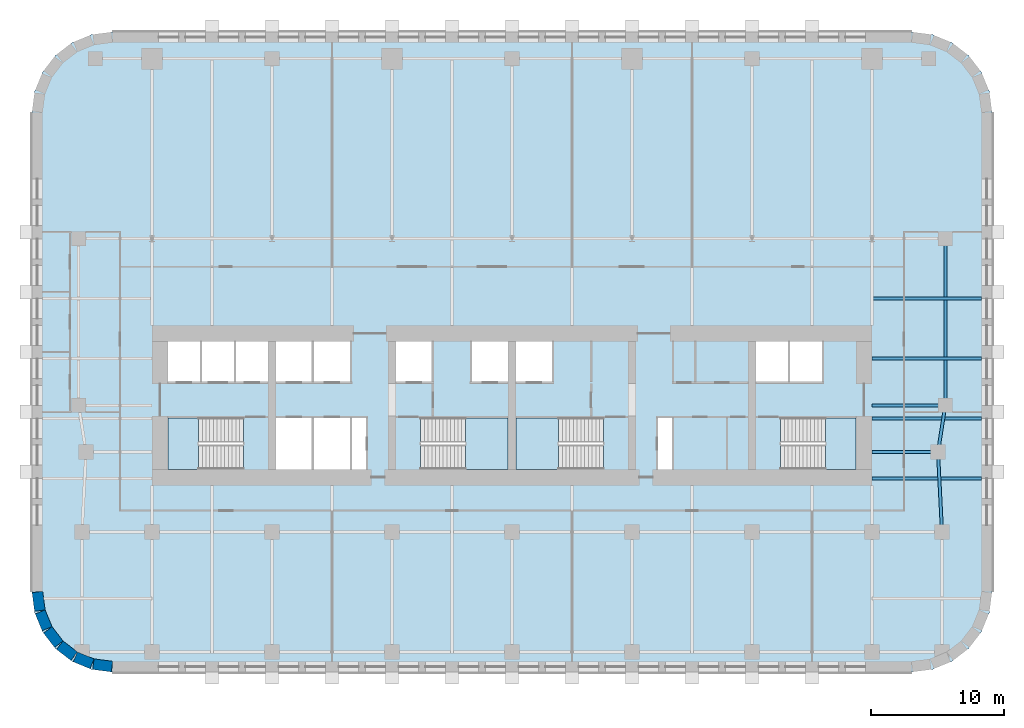
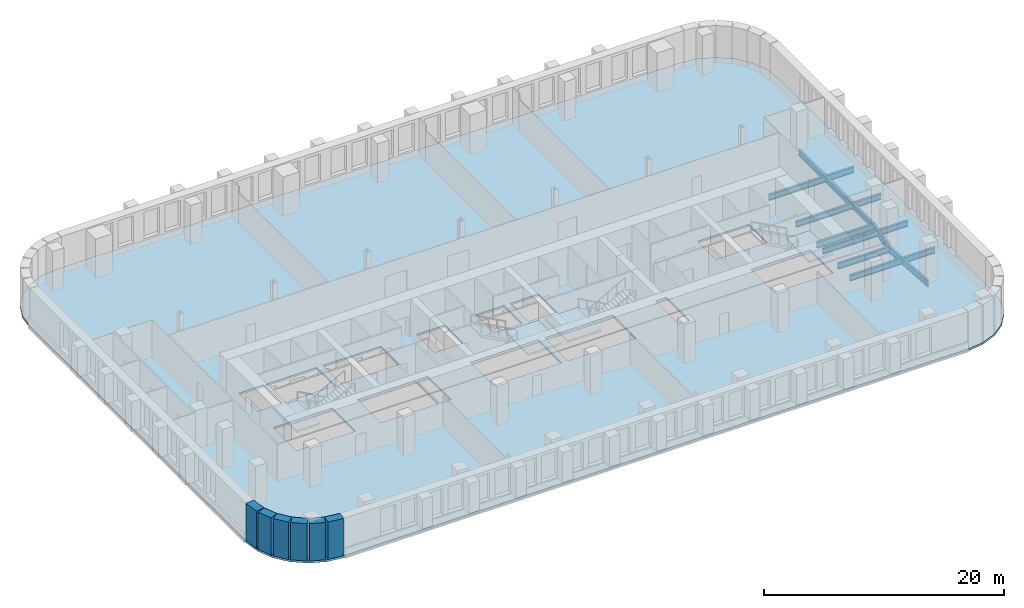
# One storey, part 2 of 11: 9 beams, 6 walls, 5 slabs, 4 elements without a shape of their own.
"""IFC4 building model written with IfcOpenShell, lengths in metres."""

from ifc_helpers import new_model, si_unit, direction, frame, frame_2d, origin, origin_2d, place, context, subcontext, project, spatial, polyline, rectangle, i_section, outline, extrude, material, layer, layer_set, material_profile, profile_set, type_object, element, aggregate, save


model = new_model("IFC4")

# Units and contexts
model_context = context("Model", 3, precision=1e-05, world=origin(), true_north=direction((0.0, 1.0)))
body_context = subcontext(model_context, "Body", "Model", "MODEL_VIEW")
ifc_project = project(units=[si_unit("LENGTHUNIT", "METRE"), si_unit("AREAUNIT", "SQUARE_METRE"), si_unit("VOLUMEUNIT", "CUBIC_METRE"), si_unit("PLANEANGLEUNIT", "RADIAN"), si_unit("MASSUNIT", "GRAM", prefix="KILO")], contexts=[model_context])

# Site, building, storey
site_placement = place(None, origin())
site = spatial("IfcSite", under=ifc_project, at=site_placement, CompositionType="ELEMENT")
building_placement = place(site_placement, origin())
building = spatial("IfcBuilding", under=site, at=building_placement, Name="Zellij Exchange Tower", CompositionType="ELEMENT")
storey_placement = place(building_placement, frame((0.0, 0.0, 72.5)))
storey = spatial("IfcBuildingStorey", under=building, at=storey_placement, Name="L14", CompositionType="ELEMENT", Elevation=72.5)

# Beams
ifc_material_1 = material(Name="Structural steel ASTM A992 Gr 50", Category="steel")
ifc_material_profile_1 = material_profile(ifc_material_1, i_section(OverallWidth=0.227783203125, OverallDepth=0.60205078125, WebThickness=0.010498046875, FlangeThickness=0.014892578125, at=origin_2d()), Name="W24x68")
ifc_profile_set_1 = profile_set([ifc_material_profile_1], Name="Structural steel ASTM A992 Gr 50")
beam_type_1 = type_object("IfcBeamType", Name="STR-BEAM W24x68", PredefinedType="BEAM", material=ifc_profile_set_1)
for number, where, z_axis, x_axis, name in (
    (1, (27.0, -13.5, -0.5009765625), (1.0, 0.0, 0.0), (0.0, 1.0, 0.0), "B5"),
    (2, (27.0, -9.0, -0.5009765625), (1.0, 0.0, 0.0), (0.0, 1.0, 0.0), "B5"),
    (3, (27.0, -4.5, -0.5009765625), (1.0, 0.0, 0.0), (0.0, 1.0, 0.0), "B5"),
    (4, (27.0, 0.0, -0.5009765625), (1.0, 0.0, 0.0), (0.0, 1.0, 0.0), "B5"),
):
    element("IfcBeam", number, at=place(storey_placement, frame(where, z_axis=z_axis, x_axis=x_axis)), inside=storey, type_object=beam_type_1, Name=name, PredefinedType="BEAM", context=body_context, shape_type="SweptSolid", body=[
        extrude(i_section(OverallWidth=0.227783203125, OverallDepth=0.60205078125, WebThickness=0.010498046875, FlangeThickness=0.014892578125, at=origin_2d()), origin(), (0.0, 0.0, 1.0), 8.199951171875),
    ])
ifc_material_profile_2 = material_profile(ifc_material_1, i_section(OverallWidth=0.22900390625, OverallDepth=0.612060546875, WebThickness=0.011962890625, FlangeThickness=0.01953125, at=origin_2d()), Name="W24x84")
ifc_profile_set_2 = profile_set([ifc_material_profile_2], Name="Structural steel ASTM A992 Gr 50")
beam_type_2 = type_object("IfcBeamType", Name="STR-EDGE GIRDER W24x84", PredefinedType="BEAM", material=ifc_profile_set_2)
beam_1_placement = place(storey_placement, frame((32.25, -17.5, -0.506103515625), z_axis=(-0.049945724537, 0.998751933465, 0.0), x_axis=(-0.998751933465, -0.049945724537, 0.0)))
element("IfcBeam", 5, at=beam_1_placement, inside=storey, type_object=beam_type_2, Name="EB6", PredefinedType="BEAM", context=body_context, shape_type="SweptSolid", body=[
    extrude(i_section(OverallWidth=0.22900390625, OverallDepth=0.612060546875, WebThickness=0.011962890625, FlangeThickness=0.01953125, at=origin_2d()), origin(), (0.0, 0.0, 1.0), 6.007568359375),
])
beam_2_placement = place(storey_placement, frame((31.949951171875, -11.5, -0.506103515625), z_axis=(0.155251283593, 0.987875011802, 0.0), x_axis=(-0.987875011802, 0.155251283593, 0.0)))
element("IfcBeam", 6, at=beam_2_placement, inside=storey, type_object=beam_type_2, Name="EB6", PredefinedType="BEAM", context=body_context, shape_type="SweptSolid", body=[
    extrude(i_section(OverallWidth=0.22900390625, OverallDepth=0.612060546875, WebThickness=0.011962890625, FlangeThickness=0.01953125, at=origin_2d()), origin(), (0.0, 0.0, 1.0), 3.54296875),
])
beam_3_placement = place(storey_placement, frame((32.5, -8.0, -0.506103515625), z_axis=(0.0, 1.0, 0.0), x_axis=(-1.0, 0.0, 0.0)))
element("IfcBeam", 7, at=beam_3_placement, inside=storey, type_object=beam_type_2, Name="EB6", PredefinedType="BEAM", context=body_context, shape_type="SweptSolid", body=[
    extrude(i_section(OverallWidth=0.22900390625, OverallDepth=0.612060546875, WebThickness=0.011962890625, FlangeThickness=0.01953125, at=origin_2d()), origin(), (0.0, 0.0, 1.0), 12.5),
])
ifc_material_profile_3 = material_profile(ifc_material_1, i_section(OverallWidth=0.22900390625, OverallDepth=0.612060546875, WebThickness=0.011962890625, FlangeThickness=0.01953125, at=origin_2d()), Name="W24x84")
ifc_profile_set_3 = profile_set([ifc_material_profile_3], Name="Structural steel ASTM A992 Gr 50")
beam_type_3 = type_object("IfcBeamType", Name="STR-GIRDER W24x84", PredefinedType="BEAM", material=ifc_profile_set_3)
beam_4_placement = place(storey_placement, frame((27.0, -11.5, -0.506103515625), z_axis=(1.0, 0.0, 0.0), x_axis=(0.0, 1.0, 0.0)))
element("IfcBeam", 8, at=beam_4_placement, inside=storey, type_object=beam_type_3, Name="G4", PredefinedType="BEAM", context=body_context, shape_type="SweptSolid", body=[
    extrude(i_section(OverallWidth=0.22900390625, OverallDepth=0.612060546875, WebThickness=0.011962890625, FlangeThickness=0.01953125, at=origin_2d()), origin(), (0.0, 0.0, 1.0), 4.949951171875),
])
beam_5_placement = place(storey_placement, frame((27.0, -8.0, -0.506103515625), z_axis=(1.0, 0.0, 0.0), x_axis=(0.0, 1.0, 0.0)))
element("IfcBeam", 9, at=beam_5_placement, inside=storey, type_object=beam_type_3, Name="G4", PredefinedType="BEAM", context=body_context, shape_type="SweptSolid", body=[
    extrude(i_section(OverallWidth=0.22900390625, OverallDepth=0.612060546875, WebThickness=0.011962890625, FlangeThickness=0.01953125, at=origin_2d()), origin(), (0.0, 0.0, 1.0), 5.5),
])

# Stair, slab
ifc_material_2 = material(Name="Concrete C40/50", Category="concrete")
stair_type = type_object("IfcStairType", Name="CORE-ST exit stair 1850 wide", PredefinedType="HALF_TURN_STAIR", material=ifc_material_2)
stair_1_placement = place(storey_placement, origin())
stair_1 = element("IfcStair", 10, at=stair_1_placement, inside=storey, type_object=stair_type, Name="L14 exit stair ST1", PredefinedType="HALF_TURN_STAIR")
ifc_layer_1 = layer(ifc_material_2, 0.199951171875)
ifc_layer_set_1 = layer_set([ifc_layer_1], Name="Concrete C40/50")
slab_type_1 = type_object("IfcSlabType", Name="CORE-SL stair landing 200", PredefinedType="LANDING", material=ifc_layer_set_1)
slab_1_placement = place(storey_placement, frame((0.0, 0.0, 1.800048828125)))
slab_1 = element("IfcSlab", 11, at=slab_1_placement, type_object=slab_type_1, Name="ST1 landing 1", PredefinedType="LANDING", context=body_context, shape_type="SweptSolid", body=[
    extrude(outline(polyline([(-23.510009765625, -8.949951171875), (-25.800048828125, -8.949951171875), (-25.800048828125, -12.800048828125), (-23.510009765625, -12.800048828125), (-23.510009765625, -8.949951171875)])), origin(), (0.0, 0.0, 1.0), 0.199951171875),
])
aggregate(stair_1, [slab_1])

stair_2_placement = place(storey_placement, origin())
stair_2 = element("IfcStair", 12, at=stair_2_placement, inside=storey, type_object=stair_type, Name="L14 exit stair ST2", PredefinedType="HALF_TURN_STAIR")
slab_2_placement = place(storey_placement, frame((0.0, 0.0, 1.800048828125)))
slab_2 = element("IfcSlab", 13, at=slab_2_placement, type_object=slab_type_1, Name="ST2 landing 1", PredefinedType="LANDING", context=body_context, shape_type="SweptSolid", body=[
    extrude(outline(polyline([(-3.489990234375, -12.800048828125), (-0.300048828125, -12.800048828125), (-0.300048828125, -8.949951171875), (-3.489990234375, -8.949951171875), (-3.489990234375, -12.800048828125)])), origin(), (0.0, 0.0, 1.0), 0.199951171875),
])
aggregate(stair_2, [slab_2])

stair_3_placement = place(storey_placement, origin())
stair_3 = element("IfcStair", 14, at=stair_3_placement, inside=storey, type_object=stair_type, Name="L14 exit stair ST3", PredefinedType="HALF_TURN_STAIR")
slab_3_placement = place(storey_placement, frame((0.0, 0.0, 1.800048828125)))
slab_3 = element("IfcSlab", 15, at=slab_3_placement, type_object=slab_type_1, Name="ST3 landing 1", PredefinedType="LANDING", context=body_context, shape_type="SweptSolid", body=[
    extrude(outline(polyline([(3.489990234375, -8.949951171875), (0.300048828125, -8.949951171875), (0.300048828125, -12.800048828125), (3.489990234375, -12.800048828125), (3.489990234375, -8.949951171875)])), origin(), (0.0, 0.0, 1.0), 0.199951171875),
])
aggregate(stair_3, [slab_3])

stair_4_placement = place(storey_placement, origin())
stair_4 = element("IfcStair", 16, at=stair_4_placement, inside=storey, type_object=stair_type, Name="L14 exit stair ST4", PredefinedType="HALF_TURN_STAIR")
slab_4_placement = place(storey_placement, frame((0.0, 0.0, 1.800048828125)))
slab_4 = element("IfcSlab", 17, at=slab_4_placement, type_object=slab_type_1, Name="ST4 landing 1", PredefinedType="LANDING", context=body_context, shape_type="SweptSolid", body=[
    extrude(outline(polyline([(23.510009765625, -12.800048828125), (25.800048828125, -12.800048828125), (25.800048828125, -8.949951171875), (23.510009765625, -8.949951171875), (23.510009765625, -12.800048828125)])), origin(), (0.0, 0.0, 1.0), 0.199951171875),
])
aggregate(stair_4, [slab_4])

# Slab
ifc_layer_2 = layer(ifc_material_2, 0.199951171875)
ifc_layer_set_2 = layer_set([ifc_layer_2], Name="Concrete C40/50")
slab_type_2 = type_object("IfcSlabType", Name="STR-FLOOR SLAB 200 C40/50", PredefinedType="FLOOR", material=ifc_layer_set_2)
slab_5_placement = place(storey_placement, frame((0.0, 0.0, -0.2001953125)))
element("IfcSlab", 18, at=slab_5_placement, inside=storey, type_object=slab_type_2, Name="Floor L14", PredefinedType="FLOOR", context=body_context, shape_type="SweptSolid", body=[
    extrude(outline(polyline([(-30.0, -28.0), (-31.552978515625, -27.795654296875), (-33.0, -27.1962890625), (-34.24267578125, -26.24267578125), (-35.1962890625, -25.0), (-35.795654296875, -23.552978515625), (-36.0, -22.0), (-36.0, 14.0), (-35.795654296875, 15.552978515625), (-35.1962890625, 17.0), (-34.24267578125, 18.24267578125), (-33.0, 19.1962890625), (-31.552978515625, 19.795654296875), (-30.0, 20.0), (30.0, 20.0), (31.552978515625, 19.795654296875), (33.0, 19.1962890625), (34.24267578125, 18.24267578125), (35.1962890625, 17.0), (35.795654296875, 15.552978515625), (36.0, 14.0), (36.0, -22.0), (35.795654296875, -23.552978515625), (35.1962890625, -25.0), (34.24267578125, -26.24267578125), (33.0, -27.1962890625), (31.552978515625, -27.795654296875), (30.0, -28.0), (-30.0, -28.0)]), holes=[polyline([(-25.800048828125, -8.949951171875), (-25.800048828125, -12.800048828125), (-20.153076171875, -12.800048828125), (-20.153076171875, -8.949951171875), (-25.800048828125, -8.949951171875)]), polyline([(-12.14990234375, -8.949951171875), (-17.699951171875, -8.949951171875), (-17.699951171875, -12.800048828125), (-12.14990234375, -12.800048828125), (-12.14990234375, -8.949951171875)]), polyline([(-10.949951171875, -8.949951171875), (-12.0, -8.949951171875), (-12.0, -12.800048828125), (-10.949951171875, -12.800048828125), (-10.949951171875, -8.949951171875)]), polyline([(-23.39990234375, -3.199951171875), (-25.800048828125, -3.199951171875), (-25.800048828125, -6.22509765625), (-23.39990234375, -6.22509765625), (-23.39990234375, -3.199951171875)]), polyline([(-18.300048828125, -3.199951171875), (-23.25, -3.199951171875), (-23.25, -6.22509765625), (-18.300048828125, -6.22509765625), (-18.300048828125, -3.199951171875)]), polyline([(-12.14990234375, -3.199951171875), (-17.699951171875, -3.199951171875), (-17.699951171875, -6.22509765625), (-12.14990234375, -6.22509765625), (-12.14990234375, -3.199951171875)]), polyline([(-6.0, -3.199951171875), (-8.699951171875, -3.199951171875), (-8.699951171875, -6.22509765625), (-6.0, -6.22509765625), (-6.0, -3.199951171875)]), polyline([(-6.846923828125, -8.949951171875), (-6.846923828125, -12.800048828125), (-0.300048828125, -12.800048828125), (-0.300048828125, -8.949951171875), (-6.846923828125, -8.949951171875)]), polyline([(6.846923828125, -8.949951171875), (0.300048828125, -8.949951171875), (0.300048828125, -12.800048828125), (6.846923828125, -12.800048828125), (6.846923828125, -8.949951171875)]), polyline([(12.0, -8.949951171875), (10.949951171875, -8.949951171875), (10.949951171875, -12.800048828125), (12.0, -12.800048828125), (12.0, -8.949951171875)]), polyline([(25.800048828125, -8.949951171875), (20.153076171875, -8.949951171875), (20.153076171875, -12.800048828125), (25.800048828125, -12.800048828125), (25.800048828125, -8.949951171875)]), polyline([(-0.300048828125, -3.199951171875), (-3.0, -3.199951171875), (-3.0, -6.22509765625), (-0.300048828125, -6.22509765625), (-0.300048828125, -3.199951171875)]), polyline([(3.0, -3.199951171875), (0.300048828125, -3.199951171875), (0.300048828125, -6.22509765625), (3.0, -6.22509765625), (3.0, -3.199951171875)]), polyline([(23.25, -3.199951171875), (18.300048828125, -3.199951171875), (18.300048828125, -6.22509765625), (23.25, -6.22509765625), (23.25, -3.199951171875)])]), origin(), (0.0, 0.0, 1.0), 0.2001953125),
])

# Walls
ifc_material_3 = material(Name="Precast concrete C40/50", Category="concrete")
ifc_layer_3 = layer(ifc_material_3, 0.800048828125)
ifc_layer_set_3 = layer_set([ifc_layer_3], Name="Precast concrete C40/50")
wall_type = type_object("IfcWallType", Name="ENV-EW1 Precast stone-piered wall 800", PredefinedType="SOLIDWALL", material=ifc_layer_set_3)
wall_1_placement = place(storey_placement, frame((-35.5966796875, -21.999755859375, 0.0), z_axis=(0.0, 0.0, 1.0), x_axis=(0.130517283865, -0.99144603414, 0.0)))
element("IfcWall", 19, at=wall_1_placement, inside=storey, type_object=wall_type, Name="fac.L14.22", PredefinedType="SOLIDWALL", context=body_context, shape_type="SweptSolid", body=[
    extrude(rectangle(XDim=1.408447265625, YDim=0.800048828125, at=frame_2d((0.7041015625, 0.0))), origin(), (0.0, 0.0, 1.0), 3.800048828125),
])
wall_2_placement = place(storey_placement, frame((-35.3857421875, -23.497314453125, 0.0), z_axis=(0.0, 0.0, 1.0), x_axis=(0.38276009378, -0.923847774587, 0.0)))
element("IfcWall", 20, at=wall_2_placement, inside=storey, type_object=wall_type, Name="fac.L14.23", PredefinedType="SOLIDWALL", context=body_context, shape_type="SweptSolid", body=[
    extrude(rectangle(XDim=1.35546875, YDim=0.800048828125, at=frame_2d((0.677734375, 0.0))), origin(), (0.0, 0.0, 1.0), 3.800048828125),
])
for number, where, z_axis, x_axis, name in (
    (21, (-34.814697265625, -24.840087890625, 0.0), (0.0, 0.0, 1.0), (0.608866226366, -0.793272915452, 0.0), "fac.L14.24"),
    (22, (-33.91552734375, -25.9892578125, 0.0), (0.0, 0.0, 1.0), (0.793272915452, -0.608866226366, 0.0), "fac.L14.25"),
):
    element("IfcWall", number, at=place(storey_placement, frame(where, z_axis=z_axis, x_axis=x_axis)), inside=storey, type_object=wall_type, Name=name, PredefinedType="SOLIDWALL", context=body_context, shape_type="SweptSolid", body=[
        extrude(rectangle(XDim=1.355712890625, YDim=0.800048828125, at=frame_2d((0.677734375, 0.0))), origin(), (0.0, 0.0, 1.0), 3.800048828125),
    ])
wall_3_placement = place(storey_placement, frame((-32.74951171875, -26.866943359375, 0.0), z_axis=(0.0, 0.0, 1.0), x_axis=(0.923847774587, -0.38276009378, 0.0)))
element("IfcWall", 23, at=wall_3_placement, inside=storey, type_object=wall_type, Name="fac.L14.26", PredefinedType="SOLIDWALL", context=body_context, shape_type="SweptSolid", body=[
    extrude(rectangle(XDim=1.35546875, YDim=0.800048828125, at=frame_2d((0.677734375, 0.0))), origin(), (0.0, 0.0, 1.0), 3.800048828125),
])
wall_4_placement = place(storey_placement, frame((-31.396240234375, -27.412841796875, 0.0), z_axis=(0.0, 0.0, 1.0), x_axis=(0.99144603414, -0.130517283865, 0.0)))
element("IfcWall", 24, at=wall_4_placement, inside=storey, type_object=wall_type, Name="fac.L14.27", PredefinedType="SOLIDWALL", context=body_context, shape_type="SweptSolid", body=[
    extrude(rectangle(XDim=1.408447265625, YDim=0.800048828125, at=frame_2d((0.7041015625, 0.0))), origin(), (0.0, 0.0, 1.0), 3.800048828125),
])

save(model, "model.ifc")
